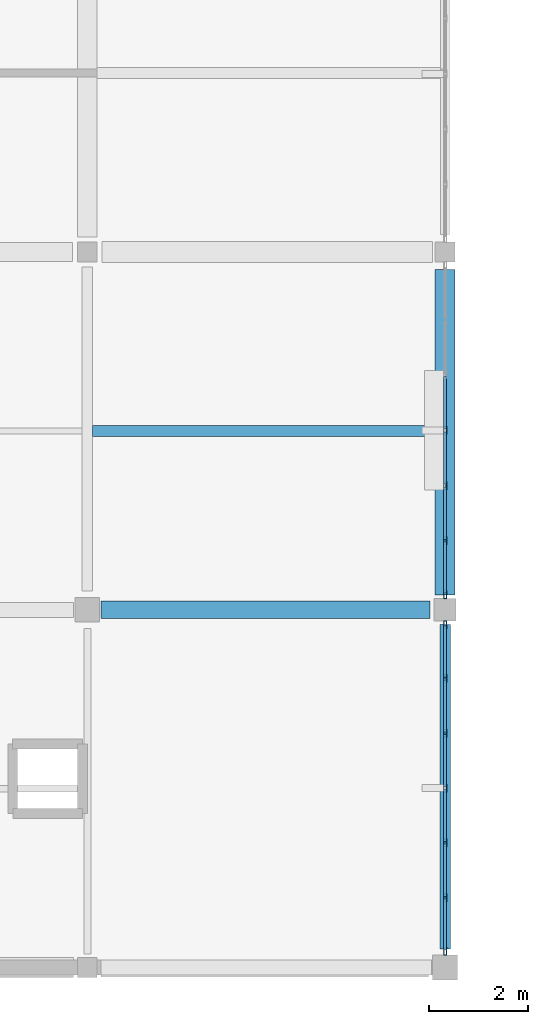
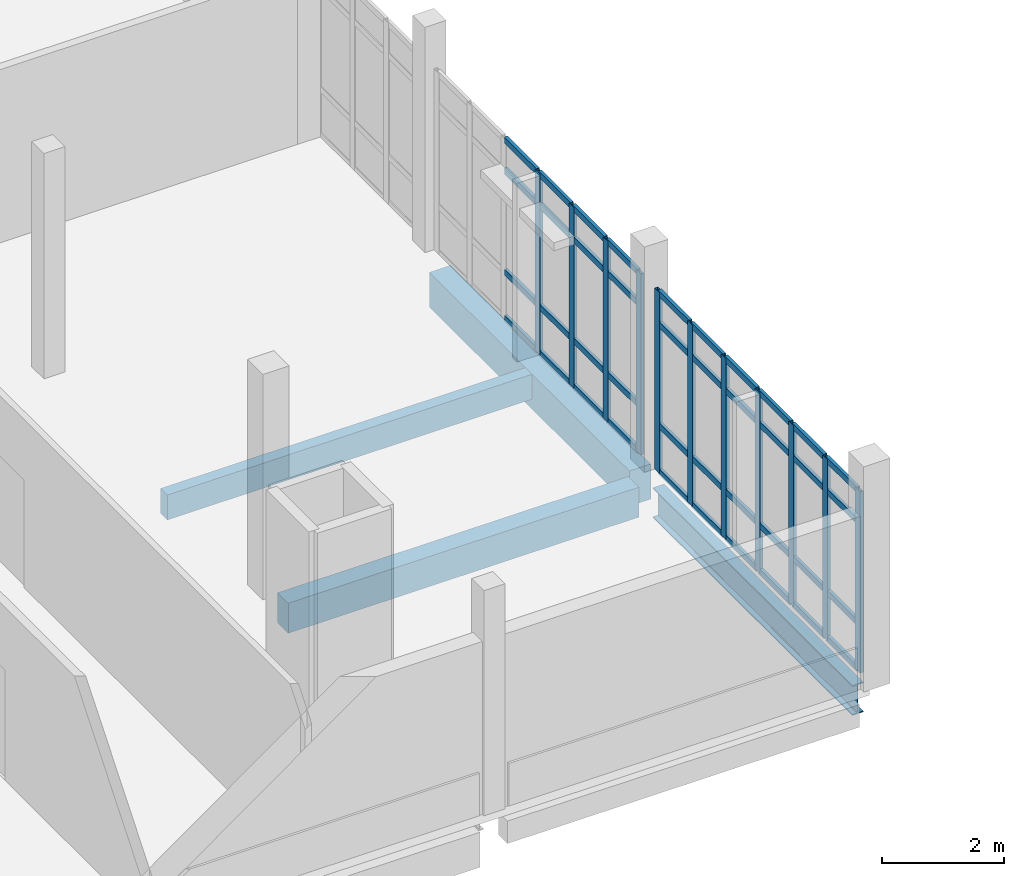
# One storey, part 8 of 62: 51 members, 4 beams, 2 elements without a shape of their own.
"""IFC4 building model written with IfcOpenShell, lengths in metres."""

from ifc_helpers import new_model, si_unit, direction, frame, origin, origin_2d, place, context, subcontext, project, spatial, rectangle, hollow_rectangle, i_section, extrude, material, material_profile, profile_set, type_object, element, aggregate, save


model = new_model("IFC4")

# Units and contexts
model_context = context("Model", 3, precision=1e-05, world=origin(), true_north=direction((0.0, 1.0)))
body_context = subcontext(model_context, "Body", "Model", "MODEL_VIEW")
ifc_project = project(units=[si_unit("LENGTHUNIT", "METRE"), si_unit("AREAUNIT", "SQUARE_METRE"), si_unit("VOLUMEUNIT", "CUBIC_METRE"), si_unit("PLANEANGLEUNIT", "RADIAN"), si_unit("MASSUNIT", "GRAM", prefix="KILO")], contexts=[model_context])

# Site, building, storey
site_placement = place(None, origin())
site = spatial("IfcSite", under=ifc_project, at=site_placement, CompositionType="ELEMENT")
building_placement = place(site_placement, origin())
building = spatial("IfcBuilding", under=site, at=building_placement, Name="Kalluvel Institute of Natural Sciences", CompositionType="ELEMENT")
storey_placement = place(building_placement, frame((0.0, 0.0, 27.89990234375)))
storey = spatial("IfcBuildingStorey", under=building, at=storey_placement, Name="L06", CompositionType="ELEMENT", Elevation=27.89990234375)

# Beams
ifc_material_1 = material(Name="Steel E350 Grade 350", Category="steel")
ifc_material_profile_1 = material_profile(ifc_material_1, i_section(OverallWidth=0.2099609375, OverallDepth=0.60009765625, WebThickness=0.011962890625, FlangeThickness=0.020751953125, FilletRadius=0.02001953125, at=origin_2d()), Name="ISMB 600")
ifc_profile_set_1 = profile_set([ifc_material_profile_1], Name="Steel E350 Grade 350")
beam_type_1 = type_object("IfcBeamType", Name="BM-ISMB600", PredefinedType="BEAM", material=ifc_profile_set_1)
beam_1_placement = place(storey_placement, frame((35.60009765625, 28.77490234375, -0.599853515625), z_axis=(0.0, 1.0, 0.0), x_axis=(-1.0, 0.0, 0.0)))
element("IfcBeam", 1, at=beam_1_placement, inside=storey, type_object=beam_type_1, Name="L06 girder GIR-L06-NS-X356-Y284", PredefinedType="BEAM", context=body_context, shape_type="SweptSolid", body=[
    extrude(i_section(OverallWidth=0.2099609375, OverallDepth=0.60009765625, WebThickness=0.011962890625, FlangeThickness=0.020751953125, FilletRadius=0.02001953125, at=origin_2d()), origin(), (0.0, 0.0, 1.0), 6.525146484375),
])
ifc_material_2 = material(Name="Concrete M40", Category="concrete")
ifc_material_profile_2 = material_profile(ifc_material_2, rectangle(XDim=0.39990234375, YDim=0.699951171875, at=origin_2d()), Name="RCB 400x700")
ifc_profile_set_2 = profile_set([ifc_material_profile_2], Name="Concrete M40")
beam_type_2 = type_object("IfcBeamType", Name="BM-RC400x700", PredefinedType="BEAM", material=ifc_profile_set_2)
beam_2_placement = place(storey_placement, frame((35.60009765625, 35.89990234375, -0.64990234375), z_axis=(0.0, 1.0, 0.0), x_axis=(-1.0, 0.0, 0.0)))
element("IfcBeam", 2, at=beam_2_placement, inside=storey, type_object=beam_type_2, Name="L06 girder GIR-L06-NS-X356-Y356", PredefinedType="BEAM", context=body_context, shape_type="SweptSolid", body=[
    extrude(rectangle(XDim=0.39990234375, YDim=0.699951171875, at=origin_2d()), origin(), (0.0, 0.0, 1.0), 6.550048828125),
])

# Curtain wall, members
ifc_material_3 = material(Name="Aluminium AW-6063 T6", Category="aluminium")
curtain_wall_type = type_object("IfcCurtainWallType", Name="CW-DRY-45", PredefinedType="USERDEFINED", material=ifc_material_3)
curtain_wall_1_placement = place(storey_placement, origin())
curtain_wall_1 = element("IfcCurtainWall", 3, at=curtain_wall_1_placement, inside=storey, type_object=curtain_wall_type, Name="L06 Gothic lancet curtain wall CWA-L06-X356-Y287", ObjectType="UNITISED LANCET FACADE", PredefinedType="USERDEFINED")
ifc_material_profile_3 = material_profile(ifc_material_3, hollow_rectangle(XDim=0.06005859375, YDim=0.159912109375, WallThickness=0.00390625, at=origin_2d()), Name="CWM 60x160")
ifc_profile_set_3 = profile_set([ifc_material_profile_3], Name="Aluminium AW-6063 T6")
member_type_1 = type_object("IfcMemberType", Name="CWM-60x160", PredefinedType="MULLION", material=ifc_profile_set_3)
member_1_placement = place(storey_placement, frame((35.60009765625, 28.72998046875, 0.0), z_axis=(0.0, 0.0, 1.0), x_axis=(-1.0, 0.0, 0.0)))
member_1 = element("IfcMember", 4, at=member_1_placement, type_object=member_type_1, Name="CW-03 mullion 1", PredefinedType="MULLION", context=body_context, shape_type="SweptSolid", body=[
    extrude(hollow_rectangle(XDim=0.06005859375, YDim=0.159912109375, WallThickness=0.00390625, at=origin_2d()), origin(), (0.0, 0.0, 1.0), 3.6201171875),
])
member_2_placement = place(storey_placement, frame((35.60009765625, 29.80419921875, 0.0), z_axis=(0.0, 0.0, 1.0), x_axis=(-1.0, 0.0, 0.0)))
member_2 = element("IfcMember", 5, at=member_2_placement, type_object=member_type_1, Name="CW-03 mullion 2", PredefinedType="MULLION", context=body_context, shape_type="SweptSolid", body=[
    extrude(hollow_rectangle(XDim=0.06005859375, YDim=0.159912109375, WallThickness=0.00390625, at=origin_2d()), origin(), (0.0, 0.0, 1.0), 3.6201171875),
])
member_3_placement = place(storey_placement, frame((35.60009765625, 30.908447265625, 0.0), z_axis=(0.0, 0.0, 1.0), x_axis=(-1.0, 0.0, 0.0)))
member_3 = element("IfcMember", 6, at=member_3_placement, type_object=member_type_1, Name="CW-03 mullion 3", PredefinedType="MULLION", context=body_context, shape_type="SweptSolid", body=[
    extrude(hollow_rectangle(XDim=0.06005859375, YDim=0.159912109375, WallThickness=0.00390625, at=origin_2d()), origin(), (0.0, 0.0, 1.0), 3.6201171875),
])
member_4_placement = place(storey_placement, frame((35.60009765625, 32.012451171875, 0.0), z_axis=(0.0, 0.0, 1.0), x_axis=(-1.0, 0.0, 0.0)))
member_4 = element("IfcMember", 7, at=member_4_placement, type_object=member_type_1, Name="CW-03 mullion 4", PredefinedType="MULLION", context=body_context, shape_type="SweptSolid", body=[
    extrude(hollow_rectangle(XDim=0.06005859375, YDim=0.159912109375, WallThickness=0.00390625, at=origin_2d()), origin(), (0.0, 0.0, 1.0), 3.6201171875),
])
member_5_placement = place(storey_placement, frame((35.60009765625, 33.11669921875, 0.0), z_axis=(0.0, 0.0, 1.0), x_axis=(-1.0, 0.0, 0.0)))
member_5 = element("IfcMember", 8, at=member_5_placement, type_object=member_type_1, Name="CW-03 mullion 5", PredefinedType="MULLION", context=body_context, shape_type="SweptSolid", body=[
    extrude(hollow_rectangle(XDim=0.06005859375, YDim=0.159912109375, WallThickness=0.00390625, at=origin_2d()), origin(), (0.0, 0.0, 1.0), 3.6201171875),
])
member_6_placement = place(storey_placement, frame((35.60009765625, 34.220947265625, 0.0), z_axis=(0.0, 0.0, 1.0), x_axis=(-1.0, 0.0, 0.0)))
member_6 = element("IfcMember", 9, at=member_6_placement, type_object=member_type_1, Name="CW-03 mullion 6", PredefinedType="MULLION", context=body_context, shape_type="SweptSolid", body=[
    extrude(hollow_rectangle(XDim=0.06005859375, YDim=0.159912109375, WallThickness=0.00390625, at=origin_2d()), origin(), (0.0, 0.0, 1.0), 3.6201171875),
])
member_7_placement = place(storey_placement, frame((35.60009765625, 35.294921875, 0.0), z_axis=(0.0, 0.0, 1.0), x_axis=(-1.0, 0.0, 0.0)))
member_7 = element("IfcMember", 10, at=member_7_placement, type_object=member_type_1, Name="CW-03 mullion 7", PredefinedType="MULLION", context=body_context, shape_type="SweptSolid", body=[
    extrude(hollow_rectangle(XDim=0.06005859375, YDim=0.159912109375, WallThickness=0.00390625, at=origin_2d()), origin(), (0.0, 0.0, 1.0), 3.6201171875),
])

curtain_wall_2_placement = place(storey_placement, origin())
curtain_wall_2 = element("IfcCurtainWall", 11, at=curtain_wall_2_placement, inside=storey, type_object=curtain_wall_type, Name="L06 Gothic lancet curtain wall CWA-L06-X356-Y359", ObjectType="UNITISED LANCET FACADE", PredefinedType="USERDEFINED")
member_8_placement = place(storey_placement, frame((35.60009765625, 35.905029296875, 0.0), z_axis=(0.0, 0.0, 1.0), x_axis=(-1.0, 0.0, 0.0)))
member_8 = element("IfcMember", 12, at=member_8_placement, type_object=member_type_1, Name="CW-03 mullion 1", PredefinedType="MULLION", context=body_context, shape_type="SweptSolid", body=[
    extrude(hollow_rectangle(XDim=0.06005859375, YDim=0.159912109375, WallThickness=0.00390625, at=origin_2d()), origin(), (0.0, 0.0, 1.0), 3.6201171875),
])
member_9_placement = place(storey_placement, frame((35.60009765625, 36.987548828125, 0.0), z_axis=(0.0, 0.0, 1.0), x_axis=(-1.0, 0.0, 0.0)))
member_9 = element("IfcMember", 13, at=member_9_placement, type_object=member_type_1, Name="CW-03 mullion 2", PredefinedType="MULLION", context=body_context, shape_type="SweptSolid", body=[
    extrude(hollow_rectangle(XDim=0.06005859375, YDim=0.159912109375, WallThickness=0.00390625, at=origin_2d()), origin(), (0.0, 0.0, 1.0), 3.6201171875),
])
member_10_placement = place(storey_placement, frame((35.60009765625, 38.10009765625, 0.0), z_axis=(0.0, 0.0, 1.0), x_axis=(-1.0, 0.0, 0.0)))
member_10 = element("IfcMember", 14, at=member_10_placement, type_object=member_type_1, Name="CW-03 mullion 3", PredefinedType="MULLION", context=body_context, shape_type="SweptSolid", body=[
    extrude(hollow_rectangle(XDim=0.06005859375, YDim=0.159912109375, WallThickness=0.00390625, at=origin_2d()), origin(), (0.0, 0.0, 1.0), 3.6201171875),
])
member_11_placement = place(storey_placement, frame((35.60009765625, 39.21240234375, 0.0), z_axis=(0.0, 0.0, 1.0), x_axis=(-1.0, 0.0, 0.0)))
member_11 = element("IfcMember", 15, at=member_11_placement, type_object=member_type_1, Name="CW-03 mullion 4", PredefinedType="MULLION", context=body_context, shape_type="SweptSolid", body=[
    extrude(hollow_rectangle(XDim=0.06005859375, YDim=0.159912109375, WallThickness=0.00390625, at=origin_2d()), origin(), (0.0, 0.0, 1.0), 3.6201171875),
])

# Member
ifc_material_profile_4 = material_profile(ifc_material_3, hollow_rectangle(XDim=0.06005859375, YDim=0.1201171875, WallThickness=0.00390625, at=origin_2d()), Name="CWT 60x120")
ifc_profile_set_4 = profile_set([ifc_material_profile_4], Name="Aluminium AW-6063 T6")
member_type_2 = type_object("IfcMemberType", Name="CWT-60x120", PredefinedType="USERDEFINED", material=ifc_profile_set_4)
member_12_placement = place(storey_placement, frame((35.60009765625, 28.760009765625, 0.030029296875), z_axis=(0.0, 1.0, 0.0), x_axis=(-1.0, 0.0, 0.0)))
member_12 = element("IfcMember", 16, at=member_12_placement, type_object=member_type_2, Name="CW-03 transom 1.1", ObjectType="TRANSOM", PredefinedType="USERDEFINED", context=body_context, shape_type="SweptSolid", body=[
    extrude(hollow_rectangle(XDim=0.06005859375, YDim=0.1201171875, WallThickness=0.00390625, at=origin_2d()), origin(), (0.0, 0.0, 1.0), 1.01416015625),
])

member_13_placement = place(storey_placement, frame((35.60009765625, 28.760009765625, 0.9501953125), z_axis=(0.0, 1.0, 0.0), x_axis=(-1.0, 0.0, 0.0)))
member_13 = element("IfcMember", 17, at=member_13_placement, type_object=member_type_2, Name="CW-03 transom 1.2", ObjectType="TRANSOM", PredefinedType="USERDEFINED", context=body_context, shape_type="SweptSolid", body=[
    extrude(hollow_rectangle(XDim=0.06005859375, YDim=0.1201171875, WallThickness=0.00390625, at=origin_2d()), origin(), (0.0, 0.0, 1.0), 1.01416015625),
])

member_14_placement = place(storey_placement, frame((35.60009765625, 28.760009765625, 2.97021484375), z_axis=(0.0, 1.0, 0.0), x_axis=(-1.0, 0.0, 0.0)))
member_14 = element("IfcMember", 18, at=member_14_placement, type_object=member_type_2, Name="CW-03 transom 1.3", ObjectType="TRANSOM", PredefinedType="USERDEFINED", context=body_context, shape_type="SweptSolid", body=[
    extrude(hollow_rectangle(XDim=0.06005859375, YDim=0.1201171875, WallThickness=0.00390625, at=origin_2d()), origin(), (0.0, 0.0, 1.0), 1.01416015625),
])

member_15_placement = place(storey_placement, frame((35.60009765625, 28.760009765625, 3.590087890625), z_axis=(0.0, 1.0, 0.0), x_axis=(-1.0, 0.0, 0.0)))
member_15 = element("IfcMember", 19, at=member_15_placement, type_object=member_type_2, Name="CW-03 transom 1.4", ObjectType="TRANSOM", PredefinedType="USERDEFINED", context=body_context, shape_type="SweptSolid", body=[
    extrude(hollow_rectangle(XDim=0.06005859375, YDim=0.1201171875, WallThickness=0.00390625, at=origin_2d()), origin(), (0.0, 0.0, 1.0), 1.01416015625),
])

member_16_placement = place(storey_placement, frame((35.60009765625, 29.834228515625, 0.030029296875), z_axis=(0.0, 1.0, 0.0), x_axis=(-1.0, 0.0, 0.0)))
member_16 = element("IfcMember", 20, at=member_16_placement, type_object=member_type_2, Name="CW-03 transom 2.1", ObjectType="TRANSOM", PredefinedType="USERDEFINED", context=body_context, shape_type="SweptSolid", body=[
    extrude(hollow_rectangle(XDim=0.06005859375, YDim=0.1201171875, WallThickness=0.00390625, at=origin_2d()), origin(), (0.0, 0.0, 1.0), 1.044189453125),
])

member_17_placement = place(storey_placement, frame((35.60009765625, 29.834228515625, 0.9501953125), z_axis=(0.0, 1.0, 0.0), x_axis=(-1.0, 0.0, 0.0)))
member_17 = element("IfcMember", 21, at=member_17_placement, type_object=member_type_2, Name="CW-03 transom 2.2", ObjectType="TRANSOM", PredefinedType="USERDEFINED", context=body_context, shape_type="SweptSolid", body=[
    extrude(hollow_rectangle(XDim=0.06005859375, YDim=0.1201171875, WallThickness=0.00390625, at=origin_2d()), origin(), (0.0, 0.0, 1.0), 1.044189453125),
])

member_18_placement = place(storey_placement, frame((35.60009765625, 29.834228515625, 2.97021484375), z_axis=(0.0, 1.0, 0.0), x_axis=(-1.0, 0.0, 0.0)))
member_18 = element("IfcMember", 22, at=member_18_placement, type_object=member_type_2, Name="CW-03 transom 2.3", ObjectType="TRANSOM", PredefinedType="USERDEFINED", context=body_context, shape_type="SweptSolid", body=[
    extrude(hollow_rectangle(XDim=0.06005859375, YDim=0.1201171875, WallThickness=0.00390625, at=origin_2d()), origin(), (0.0, 0.0, 1.0), 1.044189453125),
])

member_19_placement = place(storey_placement, frame((35.60009765625, 29.834228515625, 3.590087890625), z_axis=(0.0, 1.0, 0.0), x_axis=(-1.0, 0.0, 0.0)))
member_19 = element("IfcMember", 23, at=member_19_placement, type_object=member_type_2, Name="CW-03 transom 2.4", ObjectType="TRANSOM", PredefinedType="USERDEFINED", context=body_context, shape_type="SweptSolid", body=[
    extrude(hollow_rectangle(XDim=0.06005859375, YDim=0.1201171875, WallThickness=0.00390625, at=origin_2d()), origin(), (0.0, 0.0, 1.0), 1.044189453125),
])

member_20_placement = place(storey_placement, frame((35.60009765625, 30.938232421875, 0.030029296875), z_axis=(0.0, 1.0, 0.0), x_axis=(-1.0, 0.0, 0.0)))
member_20 = element("IfcMember", 24, at=member_20_placement, type_object=member_type_2, Name="CW-03 transom 3.1", ObjectType="TRANSOM", PredefinedType="USERDEFINED", context=body_context, shape_type="SweptSolid", body=[
    extrude(hollow_rectangle(XDim=0.06005859375, YDim=0.1201171875, WallThickness=0.00390625, at=origin_2d()), origin(), (0.0, 0.0, 1.0), 1.044189453125),
])

member_21_placement = place(storey_placement, frame((35.60009765625, 30.938232421875, 0.9501953125), z_axis=(0.0, 1.0, 0.0), x_axis=(-1.0, 0.0, 0.0)))
member_21 = element("IfcMember", 25, at=member_21_placement, type_object=member_type_2, Name="CW-03 transom 3.2", ObjectType="TRANSOM", PredefinedType="USERDEFINED", context=body_context, shape_type="SweptSolid", body=[
    extrude(hollow_rectangle(XDim=0.06005859375, YDim=0.1201171875, WallThickness=0.00390625, at=origin_2d()), origin(), (0.0, 0.0, 1.0), 1.044189453125),
])

member_22_placement = place(storey_placement, frame((35.60009765625, 30.938232421875, 2.97021484375), z_axis=(0.0, 1.0, 0.0), x_axis=(-1.0, 0.0, 0.0)))
member_22 = element("IfcMember", 26, at=member_22_placement, type_object=member_type_2, Name="CW-03 transom 3.3", ObjectType="TRANSOM", PredefinedType="USERDEFINED", context=body_context, shape_type="SweptSolid", body=[
    extrude(hollow_rectangle(XDim=0.06005859375, YDim=0.1201171875, WallThickness=0.00390625, at=origin_2d()), origin(), (0.0, 0.0, 1.0), 1.044189453125),
])

member_23_placement = place(storey_placement, frame((35.60009765625, 30.938232421875, 3.590087890625), z_axis=(0.0, 1.0, 0.0), x_axis=(-1.0, 0.0, 0.0)))
member_23 = element("IfcMember", 27, at=member_23_placement, type_object=member_type_2, Name="CW-03 transom 3.4", ObjectType="TRANSOM", PredefinedType="USERDEFINED", context=body_context, shape_type="SweptSolid", body=[
    extrude(hollow_rectangle(XDim=0.06005859375, YDim=0.1201171875, WallThickness=0.00390625, at=origin_2d()), origin(), (0.0, 0.0, 1.0), 1.044189453125),
])

member_24_placement = place(storey_placement, frame((35.60009765625, 32.04248046875, 0.030029296875), z_axis=(0.0, 1.0, 0.0), x_axis=(-1.0, 0.0, 0.0)))
member_24 = element("IfcMember", 28, at=member_24_placement, type_object=member_type_2, Name="CW-03 transom 4.1", ObjectType="TRANSOM", PredefinedType="USERDEFINED", context=body_context, shape_type="SweptSolid", body=[
    extrude(hollow_rectangle(XDim=0.06005859375, YDim=0.1201171875, WallThickness=0.00390625, at=origin_2d()), origin(), (0.0, 0.0, 1.0), 1.044189453125),
])

member_25_placement = place(storey_placement, frame((35.60009765625, 32.04248046875, 0.9501953125), z_axis=(0.0, 1.0, 0.0), x_axis=(-1.0, 0.0, 0.0)))
member_25 = element("IfcMember", 29, at=member_25_placement, type_object=member_type_2, Name="CW-03 transom 4.2", ObjectType="TRANSOM", PredefinedType="USERDEFINED", context=body_context, shape_type="SweptSolid", body=[
    extrude(hollow_rectangle(XDim=0.06005859375, YDim=0.1201171875, WallThickness=0.00390625, at=origin_2d()), origin(), (0.0, 0.0, 1.0), 1.044189453125),
])

member_26_placement = place(storey_placement, frame((35.60009765625, 32.04248046875, 2.97021484375), z_axis=(0.0, 1.0, 0.0), x_axis=(-1.0, 0.0, 0.0)))
member_26 = element("IfcMember", 30, at=member_26_placement, type_object=member_type_2, Name="CW-03 transom 4.3", ObjectType="TRANSOM", PredefinedType="USERDEFINED", context=body_context, shape_type="SweptSolid", body=[
    extrude(hollow_rectangle(XDim=0.06005859375, YDim=0.1201171875, WallThickness=0.00390625, at=origin_2d()), origin(), (0.0, 0.0, 1.0), 1.044189453125),
])

member_27_placement = place(storey_placement, frame((35.60009765625, 32.04248046875, 3.590087890625), z_axis=(0.0, 1.0, 0.0), x_axis=(-1.0, 0.0, 0.0)))
member_27 = element("IfcMember", 31, at=member_27_placement, type_object=member_type_2, Name="CW-03 transom 4.4", ObjectType="TRANSOM", PredefinedType="USERDEFINED", context=body_context, shape_type="SweptSolid", body=[
    extrude(hollow_rectangle(XDim=0.06005859375, YDim=0.1201171875, WallThickness=0.00390625, at=origin_2d()), origin(), (0.0, 0.0, 1.0), 1.044189453125),
])

member_28_placement = place(storey_placement, frame((35.60009765625, 33.146728515625, 0.030029296875), z_axis=(0.0, 1.0, 0.0), x_axis=(-1.0, 0.0, 0.0)))
member_28 = element("IfcMember", 32, at=member_28_placement, type_object=member_type_2, Name="CW-03 transom 5.1", ObjectType="TRANSOM", PredefinedType="USERDEFINED", context=body_context, shape_type="SweptSolid", body=[
    extrude(hollow_rectangle(XDim=0.06005859375, YDim=0.1201171875, WallThickness=0.00390625, at=origin_2d()), origin(), (0.0, 0.0, 1.0), 1.044189453125),
])

member_29_placement = place(storey_placement, frame((35.60009765625, 33.146728515625, 0.9501953125), z_axis=(0.0, 1.0, 0.0), x_axis=(-1.0, 0.0, 0.0)))
member_29 = element("IfcMember", 33, at=member_29_placement, type_object=member_type_2, Name="CW-03 transom 5.2", ObjectType="TRANSOM", PredefinedType="USERDEFINED", context=body_context, shape_type="SweptSolid", body=[
    extrude(hollow_rectangle(XDim=0.06005859375, YDim=0.1201171875, WallThickness=0.00390625, at=origin_2d()), origin(), (0.0, 0.0, 1.0), 1.044189453125),
])

member_30_placement = place(storey_placement, frame((35.60009765625, 33.146728515625, 2.97021484375), z_axis=(0.0, 1.0, 0.0), x_axis=(-1.0, 0.0, 0.0)))
member_30 = element("IfcMember", 34, at=member_30_placement, type_object=member_type_2, Name="CW-03 transom 5.3", ObjectType="TRANSOM", PredefinedType="USERDEFINED", context=body_context, shape_type="SweptSolid", body=[
    extrude(hollow_rectangle(XDim=0.06005859375, YDim=0.1201171875, WallThickness=0.00390625, at=origin_2d()), origin(), (0.0, 0.0, 1.0), 1.044189453125),
])

member_31_placement = place(storey_placement, frame((35.60009765625, 33.146728515625, 3.590087890625), z_axis=(0.0, 1.0, 0.0), x_axis=(-1.0, 0.0, 0.0)))
member_31 = element("IfcMember", 35, at=member_31_placement, type_object=member_type_2, Name="CW-03 transom 5.4", ObjectType="TRANSOM", PredefinedType="USERDEFINED", context=body_context, shape_type="SweptSolid", body=[
    extrude(hollow_rectangle(XDim=0.06005859375, YDim=0.1201171875, WallThickness=0.00390625, at=origin_2d()), origin(), (0.0, 0.0, 1.0), 1.044189453125),
])

member_32_placement = place(storey_placement, frame((35.60009765625, 34.250732421875, 0.030029296875), z_axis=(0.0, 1.0, 0.0), x_axis=(-1.0, 0.0, 0.0)))
member_32 = element("IfcMember", 36, at=member_32_placement, type_object=member_type_2, Name="CW-03 transom 6.1", ObjectType="TRANSOM", PredefinedType="USERDEFINED", context=body_context, shape_type="SweptSolid", body=[
    extrude(hollow_rectangle(XDim=0.06005859375, YDim=0.1201171875, WallThickness=0.00390625, at=origin_2d()), origin(), (0.0, 0.0, 1.0), 1.01416015625),
])

member_33_placement = place(storey_placement, frame((35.60009765625, 34.250732421875, 0.9501953125), z_axis=(0.0, 1.0, 0.0), x_axis=(-1.0, 0.0, 0.0)))
member_33 = element("IfcMember", 37, at=member_33_placement, type_object=member_type_2, Name="CW-03 transom 6.2", ObjectType="TRANSOM", PredefinedType="USERDEFINED", context=body_context, shape_type="SweptSolid", body=[
    extrude(hollow_rectangle(XDim=0.06005859375, YDim=0.1201171875, WallThickness=0.00390625, at=origin_2d()), origin(), (0.0, 0.0, 1.0), 1.01416015625),
])

member_34_placement = place(storey_placement, frame((35.60009765625, 34.250732421875, 2.97021484375), z_axis=(0.0, 1.0, 0.0), x_axis=(-1.0, 0.0, 0.0)))
member_34 = element("IfcMember", 38, at=member_34_placement, type_object=member_type_2, Name="CW-03 transom 6.3", ObjectType="TRANSOM", PredefinedType="USERDEFINED", context=body_context, shape_type="SweptSolid", body=[
    extrude(hollow_rectangle(XDim=0.06005859375, YDim=0.1201171875, WallThickness=0.00390625, at=origin_2d()), origin(), (0.0, 0.0, 1.0), 1.01416015625),
])

member_35_placement = place(storey_placement, frame((35.60009765625, 34.250732421875, 3.590087890625), z_axis=(0.0, 1.0, 0.0), x_axis=(-1.0, 0.0, 0.0)))
member_35 = element("IfcMember", 39, at=member_35_placement, type_object=member_type_2, Name="CW-03 transom 6.4", ObjectType="TRANSOM", PredefinedType="USERDEFINED", context=body_context, shape_type="SweptSolid", body=[
    extrude(hollow_rectangle(XDim=0.06005859375, YDim=0.1201171875, WallThickness=0.00390625, at=origin_2d()), origin(), (0.0, 0.0, 1.0), 1.01416015625),
])

aggregate(curtain_wall_1, [member_1, member_2, member_3, member_4, member_5, member_6, member_7, member_12, member_13, member_14, member_15, member_16, member_17, member_18, member_19, member_20, member_21, member_22, member_23, member_24, member_25, member_26, member_27, member_28, member_29, member_30, member_31, member_32, member_33, member_34, member_35])

member_36_placement = place(storey_placement, frame((35.60009765625, 35.93505859375, 0.030029296875), z_axis=(0.0, 1.0, 0.0), x_axis=(-1.0, 0.0, 0.0)))
member_36 = element("IfcMember", 40, at=member_36_placement, type_object=member_type_2, Name="CW-03 transom 1.1", ObjectType="TRANSOM", PredefinedType="USERDEFINED", context=body_context, shape_type="SweptSolid", body=[
    extrude(hollow_rectangle(XDim=0.06005859375, YDim=0.1201171875, WallThickness=0.00390625, at=origin_2d()), origin(), (0.0, 0.0, 1.0), 1.0224609375),
])

member_37_placement = place(storey_placement, frame((35.60009765625, 35.93505859375, 0.9501953125), z_axis=(0.0, 1.0, 0.0), x_axis=(-1.0, 0.0, 0.0)))
member_37 = element("IfcMember", 41, at=member_37_placement, type_object=member_type_2, Name="CW-03 transom 1.2", ObjectType="TRANSOM", PredefinedType="USERDEFINED", context=body_context, shape_type="SweptSolid", body=[
    extrude(hollow_rectangle(XDim=0.06005859375, YDim=0.1201171875, WallThickness=0.00390625, at=origin_2d()), origin(), (0.0, 0.0, 1.0), 1.0224609375),
])

member_38_placement = place(storey_placement, frame((35.60009765625, 35.93505859375, 2.97021484375), z_axis=(0.0, 1.0, 0.0), x_axis=(-1.0, 0.0, 0.0)))
member_38 = element("IfcMember", 42, at=member_38_placement, type_object=member_type_2, Name="CW-03 transom 1.3", ObjectType="TRANSOM", PredefinedType="USERDEFINED", context=body_context, shape_type="SweptSolid", body=[
    extrude(hollow_rectangle(XDim=0.06005859375, YDim=0.1201171875, WallThickness=0.00390625, at=origin_2d()), origin(), (0.0, 0.0, 1.0), 1.0224609375),
])

member_39_placement = place(storey_placement, frame((35.60009765625, 35.93505859375, 3.590087890625), z_axis=(0.0, 1.0, 0.0), x_axis=(-1.0, 0.0, 0.0)))
member_39 = element("IfcMember", 43, at=member_39_placement, type_object=member_type_2, Name="CW-03 transom 1.4", ObjectType="TRANSOM", PredefinedType="USERDEFINED", context=body_context, shape_type="SweptSolid", body=[
    extrude(hollow_rectangle(XDim=0.06005859375, YDim=0.1201171875, WallThickness=0.00390625, at=origin_2d()), origin(), (0.0, 0.0, 1.0), 1.0224609375),
])

member_40_placement = place(storey_placement, frame((35.60009765625, 37.017578125, 0.030029296875), z_axis=(0.0, 1.0, 0.0), x_axis=(-1.0, 0.0, 0.0)))
member_40 = element("IfcMember", 44, at=member_40_placement, type_object=member_type_2, Name="CW-03 transom 2.1", ObjectType="TRANSOM", PredefinedType="USERDEFINED", context=body_context, shape_type="SweptSolid", body=[
    extrude(hollow_rectangle(XDim=0.06005859375, YDim=0.1201171875, WallThickness=0.00390625, at=origin_2d()), origin(), (0.0, 0.0, 1.0), 1.052490234375),
])

member_41_placement = place(storey_placement, frame((35.60009765625, 37.017578125, 0.9501953125), z_axis=(0.0, 1.0, 0.0), x_axis=(-1.0, 0.0, 0.0)))
member_41 = element("IfcMember", 45, at=member_41_placement, type_object=member_type_2, Name="CW-03 transom 2.2", ObjectType="TRANSOM", PredefinedType="USERDEFINED", context=body_context, shape_type="SweptSolid", body=[
    extrude(hollow_rectangle(XDim=0.06005859375, YDim=0.1201171875, WallThickness=0.00390625, at=origin_2d()), origin(), (0.0, 0.0, 1.0), 1.052490234375),
])

member_42_placement = place(storey_placement, frame((35.60009765625, 37.017578125, 2.97021484375), z_axis=(0.0, 1.0, 0.0), x_axis=(-1.0, 0.0, 0.0)))
member_42 = element("IfcMember", 46, at=member_42_placement, type_object=member_type_2, Name="CW-03 transom 2.3", ObjectType="TRANSOM", PredefinedType="USERDEFINED", context=body_context, shape_type="SweptSolid", body=[
    extrude(hollow_rectangle(XDim=0.06005859375, YDim=0.1201171875, WallThickness=0.00390625, at=origin_2d()), origin(), (0.0, 0.0, 1.0), 1.052490234375),
])

member_43_placement = place(storey_placement, frame((35.60009765625, 37.017578125, 3.590087890625), z_axis=(0.0, 1.0, 0.0), x_axis=(-1.0, 0.0, 0.0)))
member_43 = element("IfcMember", 47, at=member_43_placement, type_object=member_type_2, Name="CW-03 transom 2.4", ObjectType="TRANSOM", PredefinedType="USERDEFINED", context=body_context, shape_type="SweptSolid", body=[
    extrude(hollow_rectangle(XDim=0.06005859375, YDim=0.1201171875, WallThickness=0.00390625, at=origin_2d()), origin(), (0.0, 0.0, 1.0), 1.052490234375),
])

member_44_placement = place(storey_placement, frame((35.60009765625, 38.1298828125, 0.030029296875), z_axis=(0.0, 1.0, 0.0), x_axis=(-1.0, 0.0, 0.0)))
member_44 = element("IfcMember", 48, at=member_44_placement, type_object=member_type_2, Name="CW-03 transom 3.1", ObjectType="TRANSOM", PredefinedType="USERDEFINED", context=body_context, shape_type="SweptSolid", body=[
    extrude(hollow_rectangle(XDim=0.06005859375, YDim=0.1201171875, WallThickness=0.00390625, at=origin_2d()), origin(), (0.0, 0.0, 1.0), 1.052734375),
])

member_45_placement = place(storey_placement, frame((35.60009765625, 38.1298828125, 0.9501953125), z_axis=(0.0, 1.0, 0.0), x_axis=(-1.0, 0.0, 0.0)))
member_45 = element("IfcMember", 49, at=member_45_placement, type_object=member_type_2, Name="CW-03 transom 3.2", ObjectType="TRANSOM", PredefinedType="USERDEFINED", context=body_context, shape_type="SweptSolid", body=[
    extrude(hollow_rectangle(XDim=0.06005859375, YDim=0.1201171875, WallThickness=0.00390625, at=origin_2d()), origin(), (0.0, 0.0, 1.0), 1.052734375),
])

member_46_placement = place(storey_placement, frame((35.60009765625, 38.1298828125, 2.97021484375), z_axis=(0.0, 1.0, 0.0), x_axis=(-1.0, 0.0, 0.0)))
member_46 = element("IfcMember", 50, at=member_46_placement, type_object=member_type_2, Name="CW-03 transom 3.3", ObjectType="TRANSOM", PredefinedType="USERDEFINED", context=body_context, shape_type="SweptSolid", body=[
    extrude(hollow_rectangle(XDim=0.06005859375, YDim=0.1201171875, WallThickness=0.00390625, at=origin_2d()), origin(), (0.0, 0.0, 1.0), 1.052734375),
])

member_47_placement = place(storey_placement, frame((35.60009765625, 38.1298828125, 3.590087890625), z_axis=(0.0, 1.0, 0.0), x_axis=(-1.0, 0.0, 0.0)))
member_47 = element("IfcMember", 51, at=member_47_placement, type_object=member_type_2, Name="CW-03 transom 3.4", ObjectType="TRANSOM", PredefinedType="USERDEFINED", context=body_context, shape_type="SweptSolid", body=[
    extrude(hollow_rectangle(XDim=0.06005859375, YDim=0.1201171875, WallThickness=0.00390625, at=origin_2d()), origin(), (0.0, 0.0, 1.0), 1.052734375),
])

member_48_placement = place(storey_placement, frame((35.60009765625, 39.242431640625, 0.030029296875), z_axis=(0.0, 1.0, 0.0), x_axis=(-1.0, 0.0, 0.0)))
member_48 = element("IfcMember", 52, at=member_48_placement, type_object=member_type_2, Name="CW-03 transom 4.1", ObjectType="TRANSOM", PredefinedType="USERDEFINED", context=body_context, shape_type="SweptSolid", body=[
    extrude(hollow_rectangle(XDim=0.06005859375, YDim=0.1201171875, WallThickness=0.00390625, at=origin_2d()), origin(), (0.0, 0.0, 1.0), 1.052490234375),
])

member_49_placement = place(storey_placement, frame((35.60009765625, 39.242431640625, 0.9501953125), z_axis=(0.0, 1.0, 0.0), x_axis=(-1.0, 0.0, 0.0)))
member_49 = element("IfcMember", 53, at=member_49_placement, type_object=member_type_2, Name="CW-03 transom 4.2", ObjectType="TRANSOM", PredefinedType="USERDEFINED", context=body_context, shape_type="SweptSolid", body=[
    extrude(hollow_rectangle(XDim=0.06005859375, YDim=0.1201171875, WallThickness=0.00390625, at=origin_2d()), origin(), (0.0, 0.0, 1.0), 1.052490234375),
])

member_50_placement = place(storey_placement, frame((35.60009765625, 39.242431640625, 2.97021484375), z_axis=(0.0, 1.0, 0.0), x_axis=(-1.0, 0.0, 0.0)))
member_50 = element("IfcMember", 54, at=member_50_placement, type_object=member_type_2, Name="CW-03 transom 4.3", ObjectType="TRANSOM", PredefinedType="USERDEFINED", context=body_context, shape_type="SweptSolid", body=[
    extrude(hollow_rectangle(XDim=0.06005859375, YDim=0.1201171875, WallThickness=0.00390625, at=origin_2d()), origin(), (0.0, 0.0, 1.0), 1.052490234375),
])

member_51_placement = place(storey_placement, frame((35.60009765625, 39.242431640625, 3.590087890625), z_axis=(0.0, 1.0, 0.0), x_axis=(-1.0, 0.0, 0.0)))
member_51 = element("IfcMember", 55, at=member_51_placement, type_object=member_type_2, Name="CW-03 transom 4.4", ObjectType="TRANSOM", PredefinedType="USERDEFINED", context=body_context, shape_type="SweptSolid", body=[
    extrude(hollow_rectangle(XDim=0.06005859375, YDim=0.1201171875, WallThickness=0.00390625, at=origin_2d()), origin(), (0.0, 0.0, 1.0), 1.052490234375),
])

aggregate(curtain_wall_2, [member_8, member_9, member_10, member_11, member_36, member_37, member_38, member_39, member_40, member_41, member_42, member_43, member_44, member_45, member_46, member_47, member_48, member_49, member_50, member_51])

# Beams
ifc_material_profile_5 = material_profile(ifc_material_2, rectangle(XDim=0.35009765625, YDim=0.60009765625, at=origin_2d()), Name="RCB 350x600")
ifc_profile_set_5 = profile_set([ifc_material_profile_5], Name="Concrete M40")
beam_type_3 = type_object("IfcBeamType", Name="SP-RC350x600", PredefinedType="SPANDREL", material=ifc_profile_set_5)
beam_3_placement = place(storey_placement, frame((28.675048828125, 35.60009765625, -0.599853515625), z_axis=(1.0, 0.0, 0.0), x_axis=(0.0, 1.0, 0.0)))
element("IfcBeam", 56, at=beam_3_placement, inside=storey, type_object=beam_type_3, Name="L06 girder GIR-L06-EW-X284-Y356", PredefinedType="SPANDREL", context=body_context, shape_type="SweptSolid", body=[
    extrude(rectangle(XDim=0.35009765625, YDim=0.60009765625, at=origin_2d()), origin(), (0.0, 0.0, 1.0), 6.625),
])
ifc_material_profile_6 = material_profile(ifc_material_2, rectangle(XDim=0.219970703125, YDim=0.5, at=origin_2d()), Name="WAF 220x500")
ifc_profile_set_6 = profile_set([ifc_material_profile_6], Name="Concrete M40")
beam_type_4 = type_object("IfcBeamType", Name="WJ-220x500", PredefinedType="JOIST", material=ifc_profile_set_6)
beam_4_placement = place(storey_placement, frame((28.5048828125, 39.199951171875, -0.5498046875), z_axis=(1.0, 0.0, 0.0), x_axis=(0.0, 1.0, 0.0)))
element("IfcBeam", 57, at=beam_4_placement, inside=storey, type_object=beam_type_4, Name="L06 floor rib RIB-L06-0759", PredefinedType="JOIST", context=body_context, shape_type="SweptSolid", body=[
    extrude(rectangle(XDim=0.219970703125, YDim=0.5, at=origin_2d()), origin(), (0.0, 0.0, 1.0), 6.89501953125),
])

save(model, "model.ifc")
